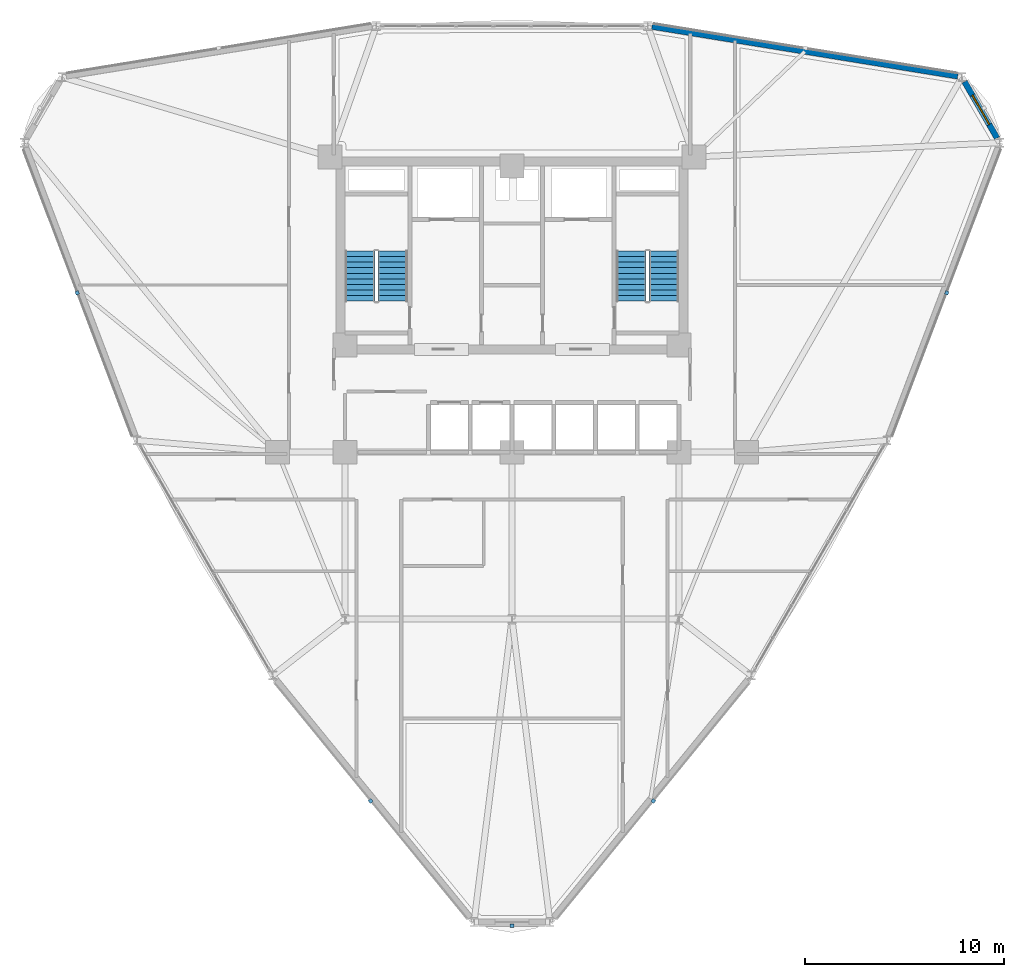
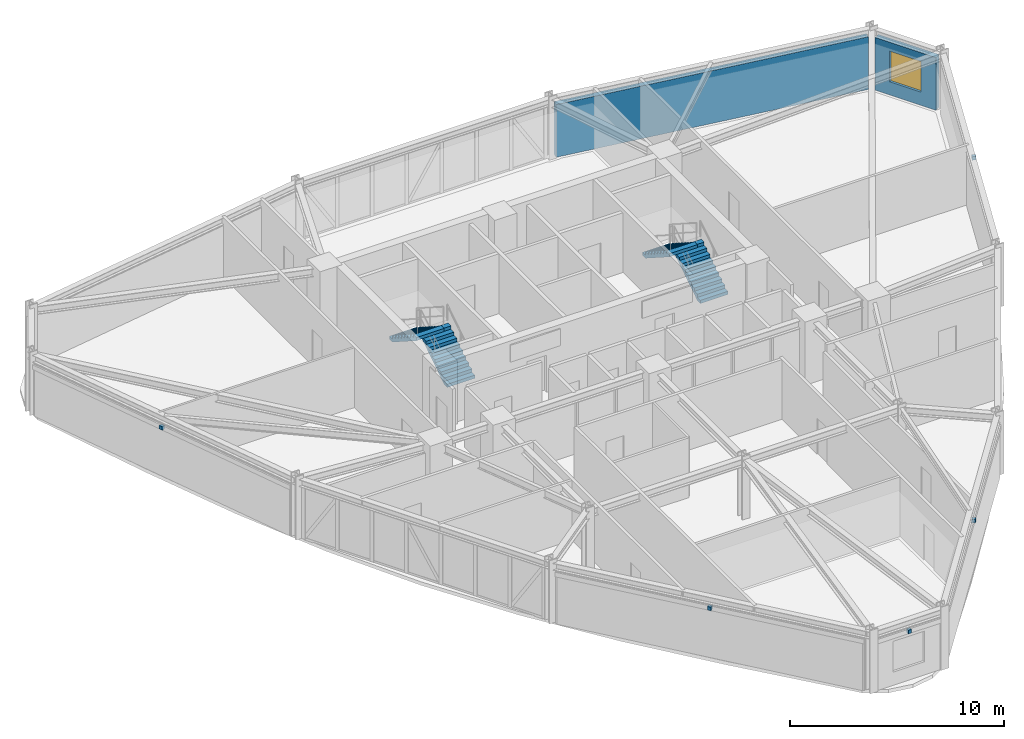
# One storey, part 12 of 17: 5 discrete accessories, 4 stair flights, 2 walls, 1 window, 1 opening, 2 elements without a shape of their own.
"""IFC4 building model written with IfcOpenShell, lengths in metres."""

from ifc_helpers import new_model, si_unit, derived_unit, direction, frame, frame_2d, origin, origin_2d, place, context, subcontext, project, spatial, polyline, rectangle, outline, extrude, source, transform, mapped, material, layer, layer_set, type_object, element, fill, aggregate, save


model = new_model("IFC4")

# Units and contexts
model_context = context("Model", 3, precision=1e-05, world=origin(), true_north=direction((0.0, 1.0)))
body_context = subcontext(model_context, "Body", "Model", "MODEL_VIEW")
ifc_project = project(units=[si_unit("LENGTHUNIT", "METRE"), si_unit("AREAUNIT", "SQUARE_METRE"), si_unit("VOLUMEUNIT", "CUBIC_METRE"), si_unit("PLANEANGLEUNIT", "RADIAN"), si_unit("MASSUNIT", "GRAM", prefix="KILO"), derived_unit("THERMALTRANSMITTANCEUNIT", [(si_unit("POWERUNIT", "WATT"), 1), (si_unit("LENGTHUNIT", "METRE"), -2), (si_unit("THERMODYNAMICTEMPERATUREUNIT", "KELVIN"), -1)])], contexts=[model_context])

# Site, building, storey
site_placement = place(None, origin())
site = spatial("IfcSite", under=ifc_project, at=site_placement, CompositionType="ELEMENT")
building_placement = place(site_placement, origin())
building = spatial("IfcBuilding", under=site, at=building_placement, Name="Korsvarv Bourse and Concert Hall", CompositionType="ELEMENT")
storey_placement = place(building_placement, frame((0.0, 0.0, 120.60009765625)))
storey = spatial("IfcBuildingStorey", under=building, at=storey_placement, Name="L30", CompositionType="ELEMENT", Elevation=120.60009765625)

# Wall, opening, window
ifc_material_1 = material(Name="Precast concrete C45/55 with terracotta rainscreen", Category="concrete")
ifc_layer_1 = layer(ifc_material_1, 0.300048828125)
ifc_layer_set_1 = layer_set([ifc_layer_1], Name="Precast concrete C45/55 with terracotta rainscreen")
wall_type_1 = type_object("IfcWallType", Name="WL-EXT-TC1", PredefinedType="SOLIDWALL", material=ifc_layer_set_1)
wall_1_placement = place(storey_placement, frame((60.40771484375, 48.198486328125, 0.0), z_axis=(0.0, 0.0, 1.0), x_axis=(-0.500014611105, 0.866016967894, 0.0)))
wall_1 = element("IfcWall", 1, at=wall_1_placement, inside=storey, type_object=wall_type_1, Name="L30 terracotta exterior wall EW-L30-B01", PredefinedType="SOLIDWALL", context=body_context, shape_type="SweptSolid", body=[
    extrude(rectangle(XDim=3.279296875, YDim=0.300048828125, at=frame_2d((1.6396484375, 0.0))), origin(), (0.0, 0.0, 1.0), 3.0),
])
opening_placement = place(wall_1_placement, frame((0.78955078125, 0.0, 0.75)))
opening = element("IfcOpeningElement", 2, at=opening_placement, cuts=wall_1, Name="Opening W-01", PredefinedType="OPENING", context=body_context, shape_type="SweptSolid", body=[
    extrude(rectangle(XDim=1.699951171875, YDim=1.75, at=frame_2d((0.85009765625, 0.875))), frame((0.0, 0.16015625, 0.0), z_axis=(0.0, -1.0, 0.0), x_axis=(1.0, 0.0, 0.0)), (0.0, 0.0, 1.0), 0.320068359375),
])
ifc_material_2 = material(Name="Thermally broken aluminium frame with triple low-E glass", Category="glass")
window_type = type_object("IfcWindowType", Name="WIN-TW1", PartitioningType="SINGLE_PANEL", PredefinedType="WINDOW", material=ifc_material_2)
window_placement = place(opening_placement, origin())
window = element("IfcWindow", 3, at=window_placement, inside=storey, type_object=window_type, Name="L30 punched facade window W-01", OverallHeight=1.75, OverallWidth=1.699951171875, PartitioningType="SINGLE_PANEL", PredefinedType="WINDOW", context=body_context, shape_type="SweptSolid", body=[
    extrude(rectangle(XDim=1.699951171875, YDim=1.75, at=frame_2d((0.85009765625, 0.875))), frame((0.0, 0.030029296875, 0.0), z_axis=(0.0, -1.0, 0.0), x_axis=(1.0, 0.0, 0.0)), (0.0, 0.0, 1.0), 0.06005859375),
])
fill(opening, window)

# Wall
ifc_material_3 = material(Name="Precast concrete C45/55 with fluted terracotta pier", Category="concrete")
ifc_layer_2 = layer(ifc_material_3, 0.280029296875)
ifc_layer_set_2 = layer_set([ifc_layer_2], Name="Precast concrete C45/55 with fluted terracotta pier")
wall_type_2 = type_object("IfcWallType", Name="WL-EXT-TC2", PredefinedType="SOLIDWALL", material=ifc_layer_set_2)
wall_2_placement = place(storey_placement, frame((58.419921875, 51.3056640625, 0.0), z_axis=(0.0, 0.0, 1.0), x_axis=(-0.987036263752, 0.160497395736, 0.0)))
element("IfcWall", 4, at=wall_2_placement, inside=storey, type_object=wall_type_2, Name="L30 terracotta exterior wall EW-L30-B02", PredefinedType="SOLIDWALL", context=body_context, shape_type="SweptSolid", body=[
    extrude(rectangle(XDim=15.5810546875, YDim=0.280029296875, at=frame_2d((7.79052734375, 0.0))), origin(), (0.0, 0.0, 1.0), 3.0),
])

# Stair, stair flights
ifc_material_4 = material(Name="Precast concrete C45/55", Category="concrete")
stair_type = type_object("IfcStairType", Name="STR-TYPE-04", PredefinedType="HALF_TURN_STAIR", material=ifc_material_4)
stair_1_placement = place(storey_placement, origin())
stair_1 = element("IfcStair", 5, at=stair_1_placement, inside=storey, type_object=stair_type, Name="L30 Tower West Exit Stair ST-T1", PredefinedType="HALF_TURN_STAIR")
stair_flight_type = type_object("IfcStairFlightType", Name="FLT-TYPE-04", PredefinedType="STRAIGHT", material=ifc_material_4)
stair_flight_1_placement = place(storey_placement, frame((30.010009765625, 40.0, 0.0), z_axis=(0.0, 0.0, 1.0), x_axis=(0.0, 1.0, 0.0)))
stair_flight_1 = element("IfcStairFlight", 6, at=stair_flight_1_placement, type_object=stair_flight_type, Name="ST-T1 flight 1", NumberOfRisers=10, NumberOfTreads=9, PredefinedType="STRAIGHT", RiserHeight=0.18, TreadLength=0.28, context=body_context, shape_type="SweptSolid", body=[
    extrude(outline(polyline([(0.0, 0.0), (0.0, 0.179931640625), (0.280029296875, 0.179931640625), (0.280029296875, 0.360107421875), (0.56005859375, 0.360107421875), (0.56005859375, 0.5400390625), (0.840087890625, 0.5400390625), (0.840087890625, 0.719970703125), (1.1201171875, 0.719970703125), (1.1201171875, 0.89990234375), (1.39990234375, 0.89990234375), (1.39990234375, 1.080078125), (1.679931640625, 1.080078125), (1.679931640625, 1.260009765625), (1.9599609375, 1.260009765625), (1.9599609375, 1.43994140625), (2.239990234375, 1.43994140625), (2.239990234375, 1.6201171875), (2.52001953125, 1.6201171875), (2.52001953125, 1.800048828125), (2.52001953125, 1.44189453125), (0.277099609375, 0.0), (0.0, 0.0)])), frame((0.0, 0.75, 0.0), z_axis=(0.0, -1.0, 0.0), x_axis=(1.0, 0.0, 0.0)), (0.0, 0.0, 1.0), 1.5),
])
stair_flight_2_placement = place(storey_placement, frame((28.35009765625, 42.52001953125, 1.7998046875), z_axis=(0.0, 0.0, 1.0), x_axis=(0.0, -1.0, 0.0)))
stair_flight_2 = element("IfcStairFlight", 7, at=stair_flight_2_placement, type_object=stair_flight_type, Name="ST-T1 flight 2", NumberOfRisers=10, NumberOfTreads=9, PredefinedType="STRAIGHT", RiserHeight=0.18, TreadLength=0.28, context=body_context, shape_type="SweptSolid", body=[
    extrude(outline(polyline([(0.0, 0.0), (0.0, 0.179931640625), (0.280029296875, 0.179931640625), (0.280029296875, 0.360107421875), (0.56005859375, 0.360107421875), (0.56005859375, 0.5400390625), (0.840087890625, 0.5400390625), (0.840087890625, 0.719970703125), (1.1201171875, 0.719970703125), (1.1201171875, 0.89990234375), (1.39990234375, 0.89990234375), (1.39990234375, 1.080078125), (1.679931640625, 1.080078125), (1.679931640625, 1.260009765625), (1.9599609375, 1.260009765625), (1.9599609375, 1.43994140625), (2.239990234375, 1.43994140625), (2.239990234375, 1.6201171875), (2.52001953125, 1.6201171875), (2.52001953125, 1.800048828125), (2.52001953125, 1.44189453125), (0.277099609375, 0.0), (0.0, 0.0)])), frame((0.0, 0.75, 0.0), z_axis=(0.0, -1.0, 0.0), x_axis=(1.0, 0.0, 0.0)), (0.0, 0.0, 1.0), 1.5),
])
aggregate(stair_1, [stair_flight_1, stair_flight_2])

stair_2_placement = place(storey_placement, origin())
stair_2 = element("IfcStair", 8, at=stair_2_placement, inside=storey, type_object=stair_type, Name="L30 Tower East Exit Stair ST-T2", PredefinedType="HALF_TURN_STAIR")
stair_flight_3_placement = place(storey_placement, frame((43.64990234375, 40.0, 0.0), z_axis=(0.0, 0.0, 1.0), x_axis=(0.0, 1.0, 0.0)))
stair_flight_3 = element("IfcStairFlight", 9, at=stair_flight_3_placement, type_object=stair_flight_type, Name="ST-T2 flight 1", NumberOfRisers=10, NumberOfTreads=9, PredefinedType="STRAIGHT", RiserHeight=0.18, TreadLength=0.28, context=body_context, shape_type="SweptSolid", body=[
    extrude(outline(polyline([(0.0, 0.0), (0.0, 0.179931640625), (0.280029296875, 0.179931640625), (0.280029296875, 0.360107421875), (0.56005859375, 0.360107421875), (0.56005859375, 0.5400390625), (0.840087890625, 0.5400390625), (0.840087890625, 0.719970703125), (1.1201171875, 0.719970703125), (1.1201171875, 0.89990234375), (1.39990234375, 0.89990234375), (1.39990234375, 1.080078125), (1.679931640625, 1.080078125), (1.679931640625, 1.260009765625), (1.9599609375, 1.260009765625), (1.9599609375, 1.43994140625), (2.239990234375, 1.43994140625), (2.239990234375, 1.6201171875), (2.52001953125, 1.6201171875), (2.52001953125, 1.800048828125), (2.52001953125, 1.44189453125), (0.277099609375, 0.0), (0.0, 0.0)])), frame((0.0, 0.75, 0.0), z_axis=(0.0, -1.0, 0.0), x_axis=(1.0, 0.0, 0.0)), (0.0, 0.0, 1.0), 1.5),
])
stair_flight_4_placement = place(storey_placement, frame((41.989990234375, 42.52001953125, 1.7998046875), z_axis=(0.0, 0.0, 1.0), x_axis=(0.0, -1.0, 0.0)))
stair_flight_4 = element("IfcStairFlight", 10, at=stair_flight_4_placement, type_object=stair_flight_type, Name="ST-T2 flight 2", NumberOfRisers=10, NumberOfTreads=9, PredefinedType="STRAIGHT", RiserHeight=0.18, TreadLength=0.28, context=body_context, shape_type="SweptSolid", body=[
    extrude(outline(polyline([(0.0, 0.0), (0.0, 0.179931640625), (0.280029296875, 0.179931640625), (0.280029296875, 0.360107421875), (0.56005859375, 0.360107421875), (0.56005859375, 0.5400390625), (0.840087890625, 0.5400390625), (0.840087890625, 0.719970703125), (1.1201171875, 0.719970703125), (1.1201171875, 0.89990234375), (1.39990234375, 0.89990234375), (1.39990234375, 1.080078125), (1.679931640625, 1.080078125), (1.679931640625, 1.260009765625), (1.9599609375, 1.260009765625), (1.9599609375, 1.43994140625), (2.239990234375, 1.43994140625), (2.239990234375, 1.6201171875), (2.52001953125, 1.6201171875), (2.52001953125, 1.800048828125), (2.52001953125, 1.44189453125), (0.277099609375, 0.0), (0.0, 0.0)])), frame((0.0, 0.75, 0.0), z_axis=(0.0, -1.0, 0.0), x_axis=(1.0, 0.0, 0.0)), (0.0, 0.0, 1.0), 1.5),
])
aggregate(stair_2, [stair_flight_3, stair_flight_4])

# Discrete accessories
ifc_material_5 = material(Name="Stainless Steel S355 facade outrigger bracket", Category="steel")
discrete_accessory_type = type_object("IfcDiscreteAccessoryType", Name="ACC-BRK-1", PredefinedType="BRACKET", material=ifc_material_5)
shared_shape = source(origin(), body_context, "Body", "SweptSolid", [
    extrude(rectangle(XDim=0.179931640625, YDim=0.179931640625, at=origin_2d()), origin(), (0.0, 0.0, 1.0), 0.199951171875),
])
for number, where, z_axis, x_axis, name in (
    (11, (14.128662109375, 40.4150390625, 2.68994140625), (0.0, 0.0, 1.0), (0.354454244484, -0.935073359992, 0.0), "L30 terracotta sunshade bracket EW-L30-B06"),
    (12, (28.8876953125, 14.851318359375, 2.73974609375), (0.0, 0.0, 1.0), (0.632570161913, -0.774503060199, 0.0), "L30 terracotta sunshade bracket EW-L30-B08"),
    (13, (36.0, 8.572998046875, 2.73974609375), (0.0, 0.0, 1.0), (1.0, 0.0, 0.0), "L30 terracotta sunshade bracket EW-L30-B09"),
    (14, (43.1123046875, 14.851318359375, 2.73974609375), (0.0, 0.0, 1.0), (0.632570161913, 0.774503060199, 0.0), "L30 terracotta sunshade bracket EW-L30-B10"),
    (15, (57.871337890625, 40.4150390625, 2.73974609375), (0.0, 0.0, 1.0), (0.354454244484, 0.935073359992, 0.0), "L30 terracotta sunshade bracket EW-L30-B12"),
):
    element("IfcDiscreteAccessory", number, at=place(storey_placement, frame(where, z_axis=z_axis, x_axis=x_axis)), inside=storey, type_object=discrete_accessory_type, Name=name, PredefinedType="BRACKET", context=body_context, shape_type="MappedRepresentation", body=[
        mapped(shared_shape, transform((0.0, 0.0, 0.0), scale=1.0)),
    ])

save(model, "model.ifc")
